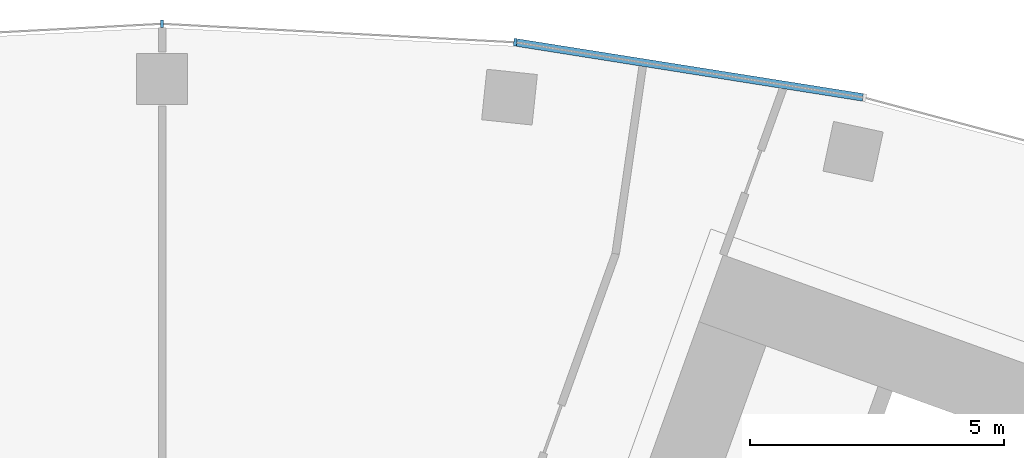
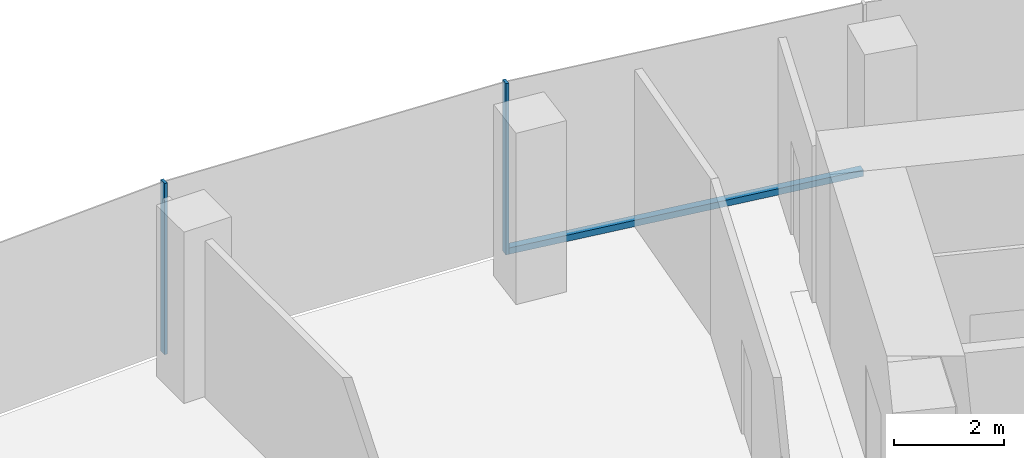
# One storey, part 7 of 21: 3 members, 1 element without a shape of its own.
"""IFC4 building model written with IfcOpenShell, lengths in metres."""

import ifcopenshell
import ifcopenshell.guid

model = None  # the IFC model being written
_history = None  # IfcOwnerHistory: only IFC2X3 demands one
_inside = {}  # id of a spatial element -> (the spatial element, [elements in it])
_under = {}  # id of a project, library or spatial element -> (it, [spatial elements below it])
_declared = {}  # id of a project -> (the project, [libraries it declares])
_typed = {}  # id of a type object -> (the type object, [elements of that type])
_made_of = {}  # id of a material, layer set ... -> (it, [elements and type objects made of it])


def new_model(schema):
    """Start an empty IFC model of exactly this schema.

    Asked for "IFC4X3", IfcOpenShell would pick the latest addendum, in which some entities
    have other attributes; the version numbers below select the first issue.
    IFC2X3 requires an IfcOwnerHistory on every rooted entity: one is made here for all.
    """
    global model, _history
    if schema == "IFC4X3":
        model = ifcopenshell.file(schema_version=(4, 3, 0, 0))
    else:
        model = ifcopenshell.file(schema=schema)
    _inside.clear()
    _under.clear()
    _declared.clear()
    _typed.clear()
    _made_of.clear()
    _history = None
    if model.schema == "IFC2X3":
        org = make("IfcOrganization", Name="unknown")
        user = make(
            "IfcPersonAndOrganization",
            ThePerson=make("IfcPerson", FamilyName="unknown"),
            TheOrganization=org,
        )
        app = make(
            "IfcApplication",
            ApplicationDeveloper=org,
            Version="unknown",
            ApplicationFullName="unknown",
            ApplicationIdentifier="unknown",
        )
        _history = make(
            "IfcOwnerHistory",
            OwningUser=user,
            OwningApplication=app,
            ChangeAction="ADDED",
            CreationDate=0,
        )
    return model


def make(cls, **values):
    """One entity of the class cls with the attributes given. An attribute that is None is left unset."""
    return model.create_entity(
        cls, **{name: value for name, value in values.items() if value is not None}
    )


def rooted(cls, **values):
    """An entity with a GlobalId (a new one), such as an element, a storey or a relation."""
    return make(cls, GlobalId=ifcopenshell.guid.new(), OwnerHistory=_history, **values)


def si_unit(unit_type, name, prefix=None):
    """IfcSIUnit, for example si_unit("LENGTHUNIT", "METRE", prefix="MILLI")."""
    return make("IfcSIUnit", UnitType=unit_type, Prefix=prefix, Name=name)


def assignment(units):
    """IfcUnitAssignment: the units of a project."""
    return None if units is None else make("IfcUnitAssignment", Units=units)


def point(xyz):
    """IfcCartesianPoint."""
    return None if xyz is None else make("IfcCartesianPoint", Coordinates=xyz)


def direction(xyz):
    """IfcDirection."""
    return None if xyz is None else make("IfcDirection", DirectionRatios=xyz)


def frame(location, z_axis=None, x_axis=None):
    """IfcAxis2Placement3D, a coordinate frame: its origin and axes. An axis left out is left unset."""
    return make(
        "IfcAxis2Placement3D",
        Location=point(location),
        Axis=direction(z_axis),
        RefDirection=direction(x_axis),
    )


def frame_2d(location, x_axis=None):
    """IfcAxis2Placement2D, a coordinate frame in the plane: its origin and x axis."""
    return make(
        "IfcAxis2Placement2D", Location=point(location), RefDirection=direction(x_axis)
    )


def origin():
    """The frame at (0, 0, 0) with its axes left unset."""
    return frame((0.0, 0.0, 0.0))


def origin_2d():
    """The frame at (0, 0) in the plane with its x axis left unset."""
    return frame_2d((0.0, 0.0))


def place(relative_to, where):
    """IfcLocalPlacement: puts the frame where relative to a parent placement (None: the world)."""
    return make(
        "IfcLocalPlacement", PlacementRelTo=relative_to, RelativePlacement=where
    )


def context(
    kind, dimensions, precision=None, world=None, true_north=None, identifier=None
):
    """IfcGeometricRepresentationContext, for example the 3D "Model" context."""
    return make(
        "IfcGeometricRepresentationContext",
        ContextIdentifier=identifier,
        ContextType=kind,
        CoordinateSpaceDimension=dimensions,
        Precision=precision,
        WorldCoordinateSystem=world,
        TrueNorth=true_north,
    )


def subcontext(parent, identifier, kind, view, scale=None):
    """IfcGeometricRepresentationSubContext, for example "Body" below "Model"."""
    return make(
        "IfcGeometricRepresentationSubContext",
        ContextIdentifier=identifier,
        ContextType=kind,
        ParentContext=parent,
        TargetScale=scale,
        TargetView=view,
    )


def project(units=None, contexts=None):
    """IfcProject with its units and contexts."""
    return rooted(
        "IfcProject",
        Name="project",
        RepresentationContexts=contexts,
        UnitsInContext=assignment(units),
    )


def spatial(cls, under=None, at=None, **own):
    """A site, building, storey or space (cls), placed at a placement, below another one or the project."""
    s = rooted(cls, ObjectPlacement=at, **own)
    if under is not None:
        _under.setdefault(under.id(), (under, []))[1].append(s)
    return s


def profile(cls, at=None, kind="AREA", **sizes):
    """A parametric profile (cls). Its sizes go by their IFC names, for example OverallWidth=200.0."""
    return make(cls, ProfileType=kind, Position=at, **sizes)


def rectangle(**sizes):
    """IfcRectangleProfileDef."""
    return profile("IfcRectangleProfileDef", **sizes)


def extrude(swept, where, along, depth):
    """IfcExtrudedAreaSolid: the profile swept, set in the frame where, extruded along a direction by depth."""
    return make(
        "IfcExtrudedAreaSolid",
        SweptArea=swept,
        Position=where,
        ExtrudedDirection=direction(along),
        Depth=depth,
    )


def shape(context_of_items, identifier, shape_type, items):
    """IfcShapeRepresentation: the items that make up one representation, for example the "Body"."""
    return make(
        "IfcShapeRepresentation",
        ContextOfItems=context_of_items,
        RepresentationIdentifier=identifier,
        RepresentationType=shape_type,
        Items=items,
    )


def material(Name=None, Category=None):
    """IfcMaterial."""
    return make("IfcMaterial", Name=Name, Category=Category)


def layer(
    of_material, thickness, ventilated=None, Name=None, Category=None, Priority=None
):
    """IfcMaterialLayer: one layer of a wall or slab, of a material (None: an air gap)."""
    return make(
        "IfcMaterialLayer",
        Material=of_material,
        LayerThickness=thickness,
        IsVentilated=ventilated,
        Name=Name,
        Category=Category,
        Priority=Priority,
    )


def layer_set(layers, Name=None):
    """IfcMaterialLayerSet."""
    return make("IfcMaterialLayerSet", MaterialLayers=layers, LayerSetName=Name)


def material_profile(
    of_material, cross_section, Name=None, Category=None, Priority=None
):
    """IfcMaterialProfile: a cross section and its material."""
    return make(
        "IfcMaterialProfile",
        Name=Name,
        Material=of_material,
        Profile=cross_section,
        Priority=Priority,
        Category=Category,
    )


def profile_set(profiles, Name=None, composite=None):
    """IfcMaterialProfileSet."""
    return make(
        "IfcMaterialProfileSet",
        Name=Name,
        MaterialProfiles=profiles,
        CompositeProfile=composite,
    )


def made_of(thing, what):
    """Note that an element or type object is made of a material, layer set ...; save() writes the relation."""
    if what is not None:
        _made_of.setdefault(what.id(), (what, []))[1].append(thing)
    return thing


def type_object(cls, material=None, **own):
    """A type object (cls), such as IfcWallType, which elements share."""
    return made_of(rooted(cls, **own), material)


def element(
    cls,
    number,
    at=None,
    inside=None,
    cuts=None,
    type_object=None,
    material=None,
    context=None,
    identifier="Body",
    shape_type=None,
    held_by="IfcProductDefinitionShape",
    body=None,
    shapes=None,
    **own,
):
    """One element of the class cls, such as IfcWall. Its Tag is "e" and its number.

    at: its placement. inside: the storey or other place that contains it. cuts: it is an
    opening in that element (IfcRelVoidsElement). A single representation is given by context,
    identifier, shape_type and body (its items); several are given by shapes. held_by: the class
    of the entity that holds the representations. save() writes the other relations.
    """
    e = rooted(cls, Tag="e%d" % number, ObjectPlacement=at, **own)
    if body is not None:
        shapes = [shape(context, identifier, shape_type, body)]
    if shapes is not None:
        e.Representation = make(held_by, Representations=shapes)
    if inside is not None:
        _inside.setdefault(inside.id(), (inside, []))[1].append(e)
    if cuts is not None:
        rooted(
            "IfcRelVoidsElement", RelatingBuildingElement=cuts, RelatedOpeningElement=e
        )
    if type_object is not None:
        _typed.setdefault(type_object.id(), (type_object, []))[1].append(e)
    return made_of(e, material)


def aggregate(whole, parts):
    """IfcRelAggregates: a whole, such as a stair, and the parts it consists of."""
    return rooted("IfcRelAggregates", RelatingObject=whole, RelatedObjects=parts)


def save(model, path):
    """Write the relations noted so far, then the file.

    IfcRelAggregates (storeys below a building ...), IfcRelContainedInSpatialStructure (elements
    in a storey), IfcRelDefinesByType, IfcRelAssociatesMaterial and IfcRelDeclares: one each for
    every whole, place, type object, material and project.
    """
    for whole, parts in _under.values():
        aggregate(whole, parts)
    for where, things in _inside.values():
        rooted(
            "IfcRelContainedInSpatialStructure",
            RelatedElements=things,
            RelatingStructure=where,
        )
    for kind, things in _typed.values():
        rooted("IfcRelDefinesByType", RelatedObjects=things, RelatingType=kind)
    for what, things in _made_of.values():
        rooted("IfcRelAssociatesMaterial", RelatedObjects=things, RelatingMaterial=what)
    for by, libraries in _declared.values():
        rooted("IfcRelDeclares", RelatingContext=by, RelatedDefinitions=libraries)
    model.write(path)


model = new_model("IFC4")

# Units and contexts
model_context = context("Model", 3, precision=1e-05, world=origin(), true_north=direction((0.0, 1.0)))
body_context = subcontext(model_context, "Body", "Model", "MODEL_VIEW")
ifc_project = project(units=[si_unit("LENGTHUNIT", "METRE"), si_unit("AREAUNIT", "SQUARE_METRE"), si_unit("VOLUMEUNIT", "CUBIC_METRE"), si_unit("PLANEANGLEUNIT", "RADIAN"), si_unit("MASSUNIT", "GRAM", prefix="KILO")], contexts=[model_context])

# Site, building, storey
site_placement = place(None, origin())
site = spatial("IfcSite", under=ifc_project, at=site_placement, CompositionType="ELEMENT")
building_placement = place(site_placement, origin())
building = spatial("IfcBuilding", under=site, at=building_placement, Name="Stone Belt Terrace Tower", CompositionType="ELEMENT")
storey_placement = place(building_placement, frame((0.0, 0.0, 151.60009765625)))
storey = spatial("IfcBuildingStorey", under=building, at=storey_placement, Name="L36", CompositionType="ELEMENT", Elevation=151.60009765625)

# Curtain wall, members
ifc_material = material(Name="Aluminium 6063-T6 anodised frame", Category="aluminium")
ifc_layer = layer(ifc_material, 0.14990234375)
ifc_layer_set = layer_set([ifc_layer], Name="CW-A unitised convex-face curtain wall")
curtain_wall_type = type_object("IfcCurtainWallType", Name="CW-A unitised convex-face curtain wall", PredefinedType="NOTDEFINED", material=ifc_layer_set)
curtain_wall_placement = place(storey_placement, origin())
curtain_wall = element("IfcCurtainWall", 1, at=curtain_wall_placement, inside=storey, type_object=curtain_wall_type, Name="CW-A convex face L36", PredefinedType="NOTDEFINED")
ifc_material_profile_1 = material_profile(ifc_material, rectangle(XDim=0.14990234375, YDim=0.06005859375, at=origin_2d()), Name="Aluminium 6063-T6 60x150")
ifc_profile_set_1 = profile_set([ifc_material_profile_1], Name="Aluminium 6063-T6 anodised frame")
member_type_1 = type_object("IfcMemberType", Name="CW-A mullion 60 x 150", PredefinedType="MULLION", material=ifc_profile_set_1)
member_1_placement = place(storey_placement, frame((6.958984375, 66.21044921875, 0.0), z_axis=(0.0, 0.0, 1.0), x_axis=(-0.104528463268, -0.994521895368, 0.0)))
member_1 = element("IfcMember", 2, at=member_1_placement, type_object=member_type_1, Name="CW-A mullion 8", PredefinedType="MULLION", context=body_context, shape_type="SweptSolid", body=[
    extrude(rectangle(XDim=0.14990234375, YDim=0.06005859375, at=origin_2d()), origin(), (0.0, 0.0, 1.0), 3.7998046875),
])
member_2_placement = place(storey_placement, frame((0.0, 66.5751953125, 0.0), z_axis=(0.0, 0.0, 1.0), x_axis=(0.0, -1.0, 0.0)))
member_2 = element("IfcMember", 3, at=member_2_placement, type_object=member_type_1, Name="CW-A mullion 9", PredefinedType="MULLION", context=body_context, shape_type="SweptSolid", body=[
    extrude(rectangle(XDim=0.14990234375, YDim=0.06005859375, at=origin_2d()), origin(), (0.0, 0.0, 1.0), 3.7998046875),
])
ifc_material_profile_2 = material_profile(ifc_material, rectangle(XDim=0.14990234375, YDim=0.139892578125, at=origin_2d()), Name="Aluminium 6063-T6 150x140")
ifc_profile_set_2 = profile_set([ifc_material_profile_2], Name="Aluminium 6063-T6 anodised frame")
member_type_2 = type_object("IfcMemberType", Name="CW-A transom 140 x 150", PredefinedType="USERDEFINED", material=ifc_profile_set_2)
member_3_placement = place(storey_placement, frame((13.808349609375, 65.12548828125, 0.06982421875), z_axis=(-0.987687120531, 0.156442168027, 0.0), x_axis=(-0.156442168027, -0.987687120531, 0.0)))
member_3 = element("IfcMember", 4, at=member_3_placement, type_object=member_type_2, Name="CW-A transom 7.1", ObjectType="TRANSOM", PredefinedType="USERDEFINED", context=body_context, shape_type="SweptSolid", body=[
    extrude(rectangle(XDim=0.14990234375, YDim=0.139892578125, at=origin_2d()), origin(), (0.0, 0.0, 1.0), 6.90087890625),
])
aggregate(curtain_wall, [member_1, member_2, member_3])

save(model, "model.ifc")
